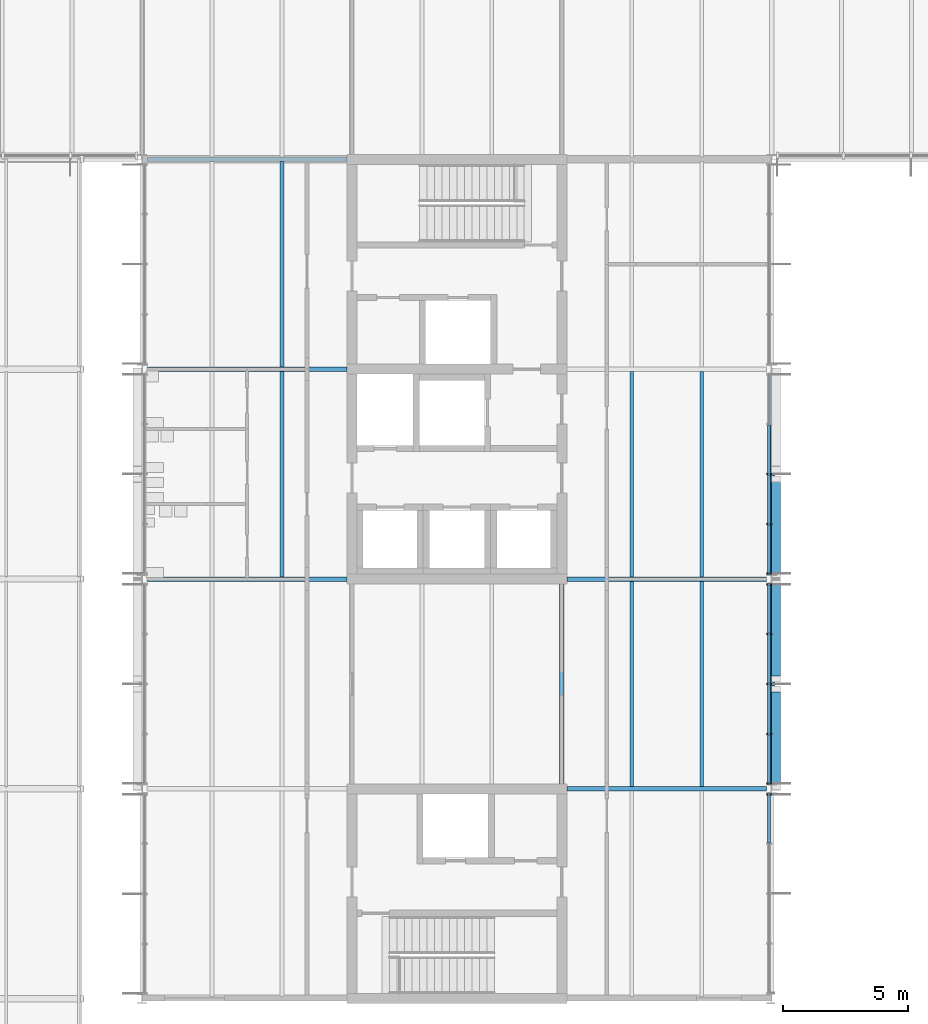
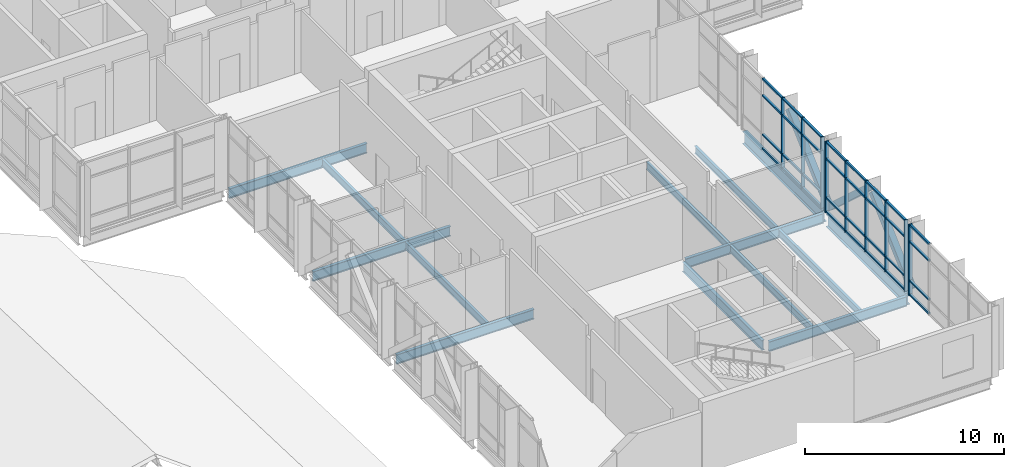
# One storey, part 19 of 76: 44 members, 14 beams, 3 elements without a shape of their own.
"""IFC4 building model written with IfcOpenShell, lengths in metres."""

from ifc_helpers import new_model, si_unit, direction, frame, origin, origin_2d, place, context, subcontext, project, spatial, rectangle, hollow_rectangle, i_section, extrude, material, material_profile, profile_set, type_object, element, aggregate, save


model = new_model("IFC4")

# Units and contexts
model_context = context("Model", 3, precision=1e-05, world=origin(), true_north=direction((0.0, 1.0)))
body_context = subcontext(model_context, "Body", "Model", "MODEL_VIEW")
ifc_project = project(units=[si_unit("LENGTHUNIT", "METRE"), si_unit("AREAUNIT", "SQUARE_METRE"), si_unit("VOLUMEUNIT", "CUBIC_METRE"), si_unit("PLANEANGLEUNIT", "RADIAN"), si_unit("MASSUNIT", "GRAM", prefix="KILO")], contexts=[model_context])

# Site, building, storey
site_placement = place(None, origin())
site = spatial("IfcSite", under=ifc_project, at=site_placement, CompositionType="ELEMENT")
building_placement = place(site_placement, origin())
building = spatial("IfcBuilding", under=site, at=building_placement, Name="Hlaing Beacon Police Headquarters", CompositionType="ELEMENT")
storey_placement = place(building_placement, frame((0.0, 0.0, 18.89990234375)))
storey = spatial("IfcBuildingStorey", under=building, at=storey_placement, Name="L04", CompositionType="ELEMENT", Elevation=18.89990234375)

# Members
ifc_material_1 = material(Name="Steel ASTM A500 Grade C", Category="steel")
ifc_material_profile_1 = material_profile(ifc_material_1, hollow_rectangle(XDim=0.355712890625, YDim=0.355712890625, WallThickness=0.015869140625, at=origin_2d()), Name="HSS14x14x5/8")
ifc_profile_set_1 = profile_set([ifc_material_profile_1], Name="Steel ASTM A500 Grade C")
member_type_1 = type_object("IfcMemberType", Name="Chevron brace HSS14x14x5/8", PredefinedType="BRACE", material=ifc_profile_set_1)
for number, where, z_axis, x_axis, name in (
    (1, (126.181884765625, 42.072998046875, 0.131103515625), (0.0, 0.738446730342, 0.674311816927), (-1.0, 0.0, 0.0), "STR-BR-L04-R6a"),
    (2, (126.181884765625, 50.326904296875, 0.131103515625), (0.0, -0.738446730342, 0.674311816927), (1.0, 0.0, 0.0), "STR-BR-L04-R6b"),
    (3, (126.181884765625, 50.472900390625, 0.131103515625), (0.0, 0.738446730342, 0.674311816927), (-1.0, 0.0, 0.0), "STR-BR-L04-R7a"),
):
    element("IfcMember", number, at=place(storey_placement, frame(where, z_axis=z_axis, x_axis=x_axis)), inside=storey, type_object=member_type_1, Name=name, PredefinedType="BRACE", context=body_context, shape_type="SweptSolid", body=[
        extrude(hollow_rectangle(XDim=0.355712890625, YDim=0.355712890625, WallThickness=0.015869140625, at=origin_2d()), origin(), (0.0, 0.0, 1.0), 5.31787109375),
    ])

# Beams
ifc_material_2 = material(Name="Steel ASTM A992 Grade 50", Category="steel")
ifc_material_profile_2 = material_profile(ifc_material_2, i_section(OverallWidth=0.177978515625, OverallDepth=0.599365234375, WebThickness=0.010009765625, FlangeThickness=0.012939453125, FilletRadius=0.012939453125, at=origin_2d()), Name="W24x55")
ifc_profile_set_2 = profile_set([ifc_material_profile_2], Name="Steel ASTM A992 Grade 50")
beam_type_1 = type_object("IfcBeamType", Name="Girder W24x55", PredefinedType="BEAM", material=ifc_profile_set_2)
for number, where, z_axis, x_axis, name in (
    (4, (117.800048828125, 42.0, -0.4296875), (1.0, 0.0, 0.0), (0.0, 1.0, 0.0), "STR-BM-L04-GX-Q6-R6"),
    (5, (100.998046875, 50.39990234375, -0.4296875), (1.0, 0.0, 0.0), (0.0, 1.0, 0.0), "STR-BM-L04-GX-N7-P7"),
    (6, (117.800048828125, 50.39990234375, -0.4296875), (1.0, 0.0, 0.0), (0.0, 1.0, 0.0), "STR-BM-L04-GX-Q7-R7"),
    (7, (100.998046875, 58.800048828125, -0.4296875), (1.0, 0.0, 0.0), (0.0, 1.0, 0.0), "STR-BM-L04-GX-N8-P8"),
):
    element("IfcBeam", number, at=place(storey_placement, frame(where, z_axis=z_axis, x_axis=x_axis)), inside=storey, type_object=beam_type_1, Name=name, PredefinedType="BEAM", context=body_context, shape_type="SweptSolid", body=[
        extrude(i_section(OverallWidth=0.177978515625, OverallDepth=0.599365234375, WebThickness=0.010009765625, FlangeThickness=0.012939453125, FilletRadius=0.012939453125, at=origin_2d()), origin(), (0.0, 0.0, 1.0), 8.001953125),
    ])
beam_1_placement = place(storey_placement, frame((100.987060546875, 67.199951171875, -0.4296875), z_axis=(1.0, 0.0, 0.0), x_axis=(0.0, 1.0, 0.0)))
element("IfcBeam", 8, at=beam_1_placement, inside=storey, type_object=beam_type_1, Name="STR-BM-L04-GX-N9-P9", PredefinedType="BEAM", context=body_context, shape_type="SweptSolid", body=[
    extrude(i_section(OverallWidth=0.177978515625, OverallDepth=0.599365234375, WebThickness=0.010009765625, FlangeThickness=0.012939453125, FilletRadius=0.012939453125, at=origin_2d()), origin(), (0.0, 0.0, 1.0), 8.012939453125),
])
beam_2_placement = place(storey_placement, frame((117.60009765625, 42.199951171875, -0.4296875), z_axis=(0.0, 1.0, 0.0), x_axis=(-1.0, 0.0, 0.0)))
element("IfcBeam", 9, at=beam_2_placement, inside=storey, type_object=beam_type_1, Name="STR-BM-L04-GY-Q6-Q7", PredefinedType="BEAM", context=body_context, shape_type="SweptSolid", body=[
    extrude(i_section(OverallWidth=0.177978515625, OverallDepth=0.599365234375, WebThickness=0.010009765625, FlangeThickness=0.012939453125, FilletRadius=0.012939453125, at=origin_2d()), origin(), (0.0, 0.0, 1.0), 8.0),
])
ifc_material_3 = material(Name="Steel ASTM A992 Grade 50", Category="steel")
ifc_material_profile_3 = material_profile(ifc_material_3, i_section(OverallWidth=0.2666015625, OverallDepth=0.761962890625, WebThickness=0.014404296875, FlangeThickness=0.021484375, FilletRadius=0.0166015625, at=origin_2d()), Name="W30x116")
ifc_profile_set_3 = profile_set([ifc_material_profile_3], Name="Steel ASTM A992 Grade 50")
beam_type_2 = type_object("IfcBeamType", Name="Girder W30x116", PredefinedType="BEAM", material=ifc_profile_set_3)
beam_3_placement = place(storey_placement, frame((126.0, 42.19091796875, -0.510986328125), z_axis=(0.0, 1.0, 0.0), x_axis=(-1.0, 0.0, 0.0)))
element("IfcBeam", 10, at=beam_3_placement, inside=storey, type_object=beam_type_2, Name="STR-BM-L04-GY-R6-R7", PredefinedType="BEAM", context=body_context, shape_type="SweptSolid", body=[
    extrude(i_section(OverallWidth=0.2666015625, OverallDepth=0.761962890625, WebThickness=0.014404296875, FlangeThickness=0.021484375, FilletRadius=0.0166015625, at=origin_2d()), origin(), (0.0, 0.0, 1.0), 8.01806640625),
])
beam_4_placement = place(storey_placement, frame((126.0, 50.590087890625, -0.510986328125), z_axis=(0.0, 1.0, 0.0), x_axis=(-1.0, 0.0, 0.0)))
element("IfcBeam", 11, at=beam_4_placement, inside=storey, type_object=beam_type_2, Name="STR-BM-L04-GY-R7-R8", PredefinedType="BEAM", context=body_context, shape_type="SweptSolid", body=[
    extrude(i_section(OverallWidth=0.2666015625, OverallDepth=0.761962890625, WebThickness=0.014404296875, FlangeThickness=0.021484375, FilletRadius=0.0166015625, at=origin_2d()), origin(), (0.0, 0.0, 1.0), 8.018798828125),
])

# Curtain wall, member
ifc_material_4 = material(Name="Aluminium frame with solar control glazing", Category="aluminium")
curtain_wall_type_1 = type_object("IfcCurtainWallType", Name="Unitised curtain wall 8.01 x 4.37", PredefinedType="NOTDEFINED", material=ifc_material_4)
curtain_wall_1_placement = place(storey_placement, origin())
curtain_wall_1 = element("IfcCurtainWall", 12, at=curtain_wall_1_placement, inside=storey, type_object=curtain_wall_type_1, Name="ENV-CW-L04-E004", PredefinedType="NOTDEFINED")
ifc_material_5 = material(Name="Aluminium", Category="aluminium")
ifc_material_profile_4 = material_profile(ifc_material_5, rectangle(XDim=0.199951171875, YDim=0.06005859375, at=origin_2d()), Name="Mullion 60x200")
ifc_profile_set_4 = profile_set([ifc_material_profile_4], Name="Aluminium")
member_type_2 = type_object("IfcMemberType", Name="Mullion 60x200", PredefinedType="MULLION", material=ifc_profile_set_4)
member_1_placement = place(storey_placement, frame((125.89990234375, 41.781982421875, 0.0), z_axis=(0.0, 0.0, 1.0), x_axis=(-1.0, 0.0, 0.0)))
member_1 = element("IfcMember", 13, at=member_1_placement, type_object=member_type_2, Name="CW-L04-E004 mullion 5", PredefinedType="MULLION", context=body_context, shape_type="SweptSolid", body=[
    extrude(rectangle(XDim=0.199951171875, YDim=0.06005859375, at=origin_2d()), origin(), (0.0, 0.0, 1.0), 4.3701171875),
])

# Curtain wall, members
ifc_material_6 = material(Name="Aluminium frame with solar control glazing", Category="aluminium")
curtain_wall_type_2 = type_object("IfcCurtainWallType", Name="Unitised curtain wall 8.02 x 4.37", PredefinedType="NOTDEFINED", material=ifc_material_6)
curtain_wall_2_placement = place(storey_placement, origin())
curtain_wall_2 = element("IfcCurtainWall", 14, at=curtain_wall_2_placement, inside=storey, type_object=curtain_wall_type_2, Name="ENV-CW-L04-E005", PredefinedType="NOTDEFINED")
member_2_placement = place(storey_placement, frame((125.89990234375, 42.218017578125, 0.0), z_axis=(0.0, 0.0, 1.0), x_axis=(-1.0, 0.0, 0.0)))
member_2 = element("IfcMember", 15, at=member_2_placement, type_object=member_type_2, Name="CW-L04-E005 mullion 1", PredefinedType="MULLION", context=body_context, shape_type="SweptSolid", body=[
    extrude(rectangle(XDim=0.199951171875, YDim=0.06005859375, at=origin_2d()), origin(), (0.0, 0.0, 1.0), 4.3701171875),
])
member_3_placement = place(storey_placement, frame((125.89990234375, 44.194091796875, 0.0), z_axis=(0.0, 0.0, 1.0), x_axis=(-1.0, 0.0, 0.0)))
member_3 = element("IfcMember", 16, at=member_3_placement, type_object=member_type_2, Name="CW-L04-E005 mullion 2", PredefinedType="MULLION", context=body_context, shape_type="SweptSolid", body=[
    extrude(rectangle(XDim=0.199951171875, YDim=0.06005859375, at=origin_2d()), origin(), (0.0, 0.0, 1.0), 4.3701171875),
])
member_4_placement = place(storey_placement, frame((125.89990234375, 46.199951171875, 0.0), z_axis=(0.0, 0.0, 1.0), x_axis=(-1.0, 0.0, 0.0)))
member_4 = element("IfcMember", 17, at=member_4_placement, type_object=member_type_2, Name="CW-L04-E005 mullion 3", PredefinedType="MULLION", context=body_context, shape_type="SweptSolid", body=[
    extrude(rectangle(XDim=0.199951171875, YDim=0.06005859375, at=origin_2d()), origin(), (0.0, 0.0, 1.0), 4.3701171875),
])
member_5_placement = place(storey_placement, frame((125.89990234375, 48.2060546875, 0.0), z_axis=(0.0, 0.0, 1.0), x_axis=(-1.0, 0.0, 0.0)))
member_5 = element("IfcMember", 18, at=member_5_placement, type_object=member_type_2, Name="CW-L04-E005 mullion 4", PredefinedType="MULLION", context=body_context, shape_type="SweptSolid", body=[
    extrude(rectangle(XDim=0.199951171875, YDim=0.06005859375, at=origin_2d()), origin(), (0.0, 0.0, 1.0), 4.3701171875),
])
member_6_placement = place(storey_placement, frame((125.89990234375, 50.181884765625, 0.0), z_axis=(0.0, 0.0, 1.0), x_axis=(-1.0, 0.0, 0.0)))
member_6 = element("IfcMember", 19, at=member_6_placement, type_object=member_type_2, Name="CW-L04-E005 mullion 5", PredefinedType="MULLION", context=body_context, shape_type="SweptSolid", body=[
    extrude(rectangle(XDim=0.199951171875, YDim=0.06005859375, at=origin_2d()), origin(), (0.0, 0.0, 1.0), 4.3701171875),
])

curtain_wall_3_placement = place(storey_placement, origin())
curtain_wall_3 = element("IfcCurtainWall", 20, at=curtain_wall_3_placement, inside=storey, type_object=curtain_wall_type_2, Name="ENV-CW-L04-E006", PredefinedType="NOTDEFINED")
member_7_placement = place(storey_placement, frame((125.89990234375, 50.617919921875, 0.0), z_axis=(0.0, 0.0, 1.0), x_axis=(-1.0, 0.0, 0.0)))
member_7 = element("IfcMember", 21, at=member_7_placement, type_object=member_type_2, Name="CW-L04-E006 mullion 1", PredefinedType="MULLION", context=body_context, shape_type="SweptSolid", body=[
    extrude(rectangle(XDim=0.199951171875, YDim=0.06005859375, at=origin_2d()), origin(), (0.0, 0.0, 1.0), 4.3701171875),
])
member_8_placement = place(storey_placement, frame((125.89990234375, 52.593994140625, 0.0), z_axis=(0.0, 0.0, 1.0), x_axis=(-1.0, 0.0, 0.0)))
member_8 = element("IfcMember", 22, at=member_8_placement, type_object=member_type_2, Name="CW-L04-E006 mullion 2", PredefinedType="MULLION", context=body_context, shape_type="SweptSolid", body=[
    extrude(rectangle(XDim=0.199951171875, YDim=0.06005859375, at=origin_2d()), origin(), (0.0, 0.0, 1.0), 4.3701171875),
])
member_9_placement = place(storey_placement, frame((125.89990234375, 54.60009765625, 0.0), z_axis=(0.0, 0.0, 1.0), x_axis=(-1.0, 0.0, 0.0)))
member_9 = element("IfcMember", 23, at=member_9_placement, type_object=member_type_2, Name="CW-L04-E006 mullion 3", PredefinedType="MULLION", context=body_context, shape_type="SweptSolid", body=[
    extrude(rectangle(XDim=0.199951171875, YDim=0.06005859375, at=origin_2d()), origin(), (0.0, 0.0, 1.0), 4.3701171875),
])

# Beams
ifc_material_7 = material(Name="Steel ASTM A992 Grade 50", Category="steel")
ifc_material_profile_5 = material_profile(ifc_material_7, i_section(OverallWidth=0.15234375, OverallDepth=0.449462890625, WebThickness=0.007568359375, FlangeThickness=0.0107421875, FilletRadius=0.01025390625, at=origin_2d()), Name="W18x35")
ifc_profile_set_5 = profile_set([ifc_material_profile_5], Name="Steel ASTM A992 Grade 50")
beam_type_3 = type_object("IfcBeamType", Name="Secondary beam W18x35", PredefinedType="BEAM", material=ifc_profile_set_5)
beam_5_placement = place(storey_placement, frame((106.39990234375, 50.489013671875, -0.354736328125), z_axis=(0.0, 1.0, 0.0), x_axis=(-1.0, 0.0, 0.0)))
element("IfcBeam", 24, at=beam_5_placement, inside=storey, type_object=beam_type_3, Name="STR-BM-L04-SB-N7-y2", PredefinedType="BEAM", context=body_context, shape_type="SweptSolid", body=[
    extrude(i_section(OverallWidth=0.15234375, OverallDepth=0.449462890625, WebThickness=0.007568359375, FlangeThickness=0.0107421875, FilletRadius=0.01025390625, at=origin_2d()), origin(), (0.0, 0.0, 1.0), 8.221923828125),
])
beam_6_placement = place(storey_placement, frame((106.39990234375, 58.888916015625, -0.354736328125), z_axis=(0.0, 1.0, 0.0), x_axis=(-1.0, 0.0, 0.0)))
element("IfcBeam", 25, at=beam_6_placement, inside=storey, type_object=beam_type_3, Name="STR-BM-L04-SB-N8-y2", PredefinedType="BEAM", context=body_context, shape_type="SweptSolid", body=[
    extrude(i_section(OverallWidth=0.15234375, OverallDepth=0.449462890625, WebThickness=0.007568359375, FlangeThickness=0.0107421875, FilletRadius=0.01025390625, at=origin_2d()), origin(), (0.0, 0.0, 1.0), 8.22216796875),
])
for number, where, z_axis, x_axis, name in (
    (26, (120.39990234375, 42.089111328125, -0.354736328125), (0.0, 1.0, 0.0), (-1.0, 0.0, 0.0), "STR-BM-L04-SB-Q6-y1"),
    (27, (123.199951171875, 42.089111328125, -0.354736328125), (0.0, 1.0, 0.0), (-1.0, 0.0, 0.0), "STR-BM-L04-SB-Q6-y2"),
    (28, (120.39990234375, 50.489013671875, -0.354736328125), (0.0, 1.0, 0.0), (-1.0, 0.0, 0.0), "STR-BM-L04-SB-Q7-y1"),
    (29, (123.199951171875, 50.489013671875, -0.354736328125), (0.0, 1.0, 0.0), (-1.0, 0.0, 0.0), "STR-BM-L04-SB-Q7-y2"),
):
    element("IfcBeam", number, at=place(storey_placement, frame(where, z_axis=z_axis, x_axis=x_axis)), inside=storey, type_object=beam_type_3, Name=name, PredefinedType="BEAM", context=body_context, shape_type="SweptSolid", body=[
        extrude(i_section(OverallWidth=0.15234375, OverallDepth=0.449462890625, WebThickness=0.007568359375, FlangeThickness=0.0107421875, FilletRadius=0.01025390625, at=origin_2d()), origin(), (0.0, 0.0, 1.0), 8.221923828125),
    ])

# Member
ifc_material_8 = material(Name="Aluminium", Category="aluminium")
ifc_material_profile_6 = material_profile(ifc_material_8, rectangle(XDim=0.1201171875, YDim=0.10009765625, at=origin_2d()), Name="Transom 120x100")
ifc_profile_set_6 = profile_set([ifc_material_profile_6], Name="Aluminium")
member_type_3 = type_object("IfcMemberType", Name="Transom 120x100", PredefinedType="USERDEFINED", material=ifc_profile_set_6)
member_10_placement = place(storey_placement, frame((125.89990234375, 39.83984375, 0.050048828125), z_axis=(0.0, 1.0, 0.0), x_axis=(-1.0, 0.0, 0.0)))
member_10 = element("IfcMember", 30, at=member_10_placement, type_object=member_type_3, Name="CW-L04-E004 transom 4.1", ObjectType="TRANSOM", PredefinedType="USERDEFINED", context=body_context, shape_type="SweptSolid", body=[
    extrude(rectangle(XDim=0.1201171875, YDim=0.10009765625, at=origin_2d()), origin(), (0.0, 0.0, 1.0), 1.912109375),
])

member_11_placement = place(storey_placement, frame((125.89990234375, 39.83984375, 0.900146484375), z_axis=(0.0, 1.0, 0.0), x_axis=(-1.0, 0.0, 0.0)))
member_11 = element("IfcMember", 31, at=member_11_placement, type_object=member_type_3, Name="CW-L04-E004 transom 4.2", ObjectType="TRANSOM", PredefinedType="USERDEFINED", context=body_context, shape_type="SweptSolid", body=[
    extrude(rectangle(XDim=0.1201171875, YDim=0.10009765625, at=origin_2d()), origin(), (0.0, 0.0, 1.0), 1.912109375),
])

member_12_placement = place(storey_placement, frame((125.89990234375, 39.83984375, 3.300048828125), z_axis=(0.0, 1.0, 0.0), x_axis=(-1.0, 0.0, 0.0)))
member_12 = element("IfcMember", 32, at=member_12_placement, type_object=member_type_3, Name="CW-L04-E004 transom 4.3", ObjectType="TRANSOM", PredefinedType="USERDEFINED", context=body_context, shape_type="SweptSolid", body=[
    extrude(rectangle(XDim=0.1201171875, YDim=0.10009765625, at=origin_2d()), origin(), (0.0, 0.0, 1.0), 1.912109375),
])

member_13_placement = place(storey_placement, frame((125.89990234375, 39.83984375, 4.320068359375), z_axis=(0.0, 1.0, 0.0), x_axis=(-1.0, 0.0, 0.0)))
member_13 = element("IfcMember", 33, at=member_13_placement, type_object=member_type_3, Name="CW-L04-E004 transom 4.4", ObjectType="TRANSOM", PredefinedType="USERDEFINED", context=body_context, shape_type="SweptSolid", body=[
    extrude(rectangle(XDim=0.1201171875, YDim=0.10009765625, at=origin_2d()), origin(), (0.0, 0.0, 1.0), 1.912109375),
])

aggregate(curtain_wall_1, [member_1, member_10, member_11, member_12, member_13])

member_14_placement = place(storey_placement, frame((125.89990234375, 42.248046875, 0.050048828125), z_axis=(0.0, 1.0, 0.0), x_axis=(-1.0, 0.0, 0.0)))
member_14 = element("IfcMember", 34, at=member_14_placement, type_object=member_type_3, Name="CW-L04-E005 transom 1.1", ObjectType="TRANSOM", PredefinedType="USERDEFINED", context=body_context, shape_type="SweptSolid", body=[
    extrude(rectangle(XDim=0.1201171875, YDim=0.10009765625, at=origin_2d()), origin(), (0.0, 0.0, 1.0), 1.916015625),
])

member_15_placement = place(storey_placement, frame((125.89990234375, 42.248046875, 0.900146484375), z_axis=(0.0, 1.0, 0.0), x_axis=(-1.0, 0.0, 0.0)))
member_15 = element("IfcMember", 35, at=member_15_placement, type_object=member_type_3, Name="CW-L04-E005 transom 1.2", ObjectType="TRANSOM", PredefinedType="USERDEFINED", context=body_context, shape_type="SweptSolid", body=[
    extrude(rectangle(XDim=0.1201171875, YDim=0.10009765625, at=origin_2d()), origin(), (0.0, 0.0, 1.0), 1.916015625),
])

member_16_placement = place(storey_placement, frame((125.89990234375, 42.248046875, 3.300048828125), z_axis=(0.0, 1.0, 0.0), x_axis=(-1.0, 0.0, 0.0)))
member_16 = element("IfcMember", 36, at=member_16_placement, type_object=member_type_3, Name="CW-L04-E005 transom 1.3", ObjectType="TRANSOM", PredefinedType="USERDEFINED", context=body_context, shape_type="SweptSolid", body=[
    extrude(rectangle(XDim=0.1201171875, YDim=0.10009765625, at=origin_2d()), origin(), (0.0, 0.0, 1.0), 1.916015625),
])

member_17_placement = place(storey_placement, frame((125.89990234375, 42.248046875, 4.320068359375), z_axis=(0.0, 1.0, 0.0), x_axis=(-1.0, 0.0, 0.0)))
member_17 = element("IfcMember", 37, at=member_17_placement, type_object=member_type_3, Name="CW-L04-E005 transom 1.4", ObjectType="TRANSOM", PredefinedType="USERDEFINED", context=body_context, shape_type="SweptSolid", body=[
    extrude(rectangle(XDim=0.1201171875, YDim=0.10009765625, at=origin_2d()), origin(), (0.0, 0.0, 1.0), 1.916015625),
])

member_18_placement = place(storey_placement, frame((125.89990234375, 44.22412109375, 0.050048828125), z_axis=(0.0, 1.0, 0.0), x_axis=(-1.0, 0.0, 0.0)))
member_18 = element("IfcMember", 38, at=member_18_placement, type_object=member_type_3, Name="CW-L04-E005 transom 2.1", ObjectType="TRANSOM", PredefinedType="USERDEFINED", context=body_context, shape_type="SweptSolid", body=[
    extrude(rectangle(XDim=0.1201171875, YDim=0.10009765625, at=origin_2d()), origin(), (0.0, 0.0, 1.0), 1.94580078125),
])

member_19_placement = place(storey_placement, frame((125.89990234375, 44.22412109375, 0.900146484375), z_axis=(0.0, 1.0, 0.0), x_axis=(-1.0, 0.0, 0.0)))
member_19 = element("IfcMember", 39, at=member_19_placement, type_object=member_type_3, Name="CW-L04-E005 transom 2.2", ObjectType="TRANSOM", PredefinedType="USERDEFINED", context=body_context, shape_type="SweptSolid", body=[
    extrude(rectangle(XDim=0.1201171875, YDim=0.10009765625, at=origin_2d()), origin(), (0.0, 0.0, 1.0), 1.94580078125),
])

member_20_placement = place(storey_placement, frame((125.89990234375, 44.22412109375, 3.300048828125), z_axis=(0.0, 1.0, 0.0), x_axis=(-1.0, 0.0, 0.0)))
member_20 = element("IfcMember", 40, at=member_20_placement, type_object=member_type_3, Name="CW-L04-E005 transom 2.3", ObjectType="TRANSOM", PredefinedType="USERDEFINED", context=body_context, shape_type="SweptSolid", body=[
    extrude(rectangle(XDim=0.1201171875, YDim=0.10009765625, at=origin_2d()), origin(), (0.0, 0.0, 1.0), 1.94580078125),
])

member_21_placement = place(storey_placement, frame((125.89990234375, 44.22412109375, 4.320068359375), z_axis=(0.0, 1.0, 0.0), x_axis=(-1.0, 0.0, 0.0)))
member_21 = element("IfcMember", 41, at=member_21_placement, type_object=member_type_3, Name="CW-L04-E005 transom 2.4", ObjectType="TRANSOM", PredefinedType="USERDEFINED", context=body_context, shape_type="SweptSolid", body=[
    extrude(rectangle(XDim=0.1201171875, YDim=0.10009765625, at=origin_2d()), origin(), (0.0, 0.0, 1.0), 1.94580078125),
])

member_22_placement = place(storey_placement, frame((125.89990234375, 46.22998046875, 0.050048828125), z_axis=(0.0, 1.0, 0.0), x_axis=(-1.0, 0.0, 0.0)))
member_22 = element("IfcMember", 42, at=member_22_placement, type_object=member_type_3, Name="CW-L04-E005 transom 3.1", ObjectType="TRANSOM", PredefinedType="USERDEFINED", context=body_context, shape_type="SweptSolid", body=[
    extrude(rectangle(XDim=0.1201171875, YDim=0.10009765625, at=origin_2d()), origin(), (0.0, 0.0, 1.0), 1.946044921875),
])

member_23_placement = place(storey_placement, frame((125.89990234375, 46.22998046875, 0.900146484375), z_axis=(0.0, 1.0, 0.0), x_axis=(-1.0, 0.0, 0.0)))
member_23 = element("IfcMember", 43, at=member_23_placement, type_object=member_type_3, Name="CW-L04-E005 transom 3.2", ObjectType="TRANSOM", PredefinedType="USERDEFINED", context=body_context, shape_type="SweptSolid", body=[
    extrude(rectangle(XDim=0.1201171875, YDim=0.10009765625, at=origin_2d()), origin(), (0.0, 0.0, 1.0), 1.946044921875),
])

member_24_placement = place(storey_placement, frame((125.89990234375, 46.22998046875, 3.300048828125), z_axis=(0.0, 1.0, 0.0), x_axis=(-1.0, 0.0, 0.0)))
member_24 = element("IfcMember", 44, at=member_24_placement, type_object=member_type_3, Name="CW-L04-E005 transom 3.3", ObjectType="TRANSOM", PredefinedType="USERDEFINED", context=body_context, shape_type="SweptSolid", body=[
    extrude(rectangle(XDim=0.1201171875, YDim=0.10009765625, at=origin_2d()), origin(), (0.0, 0.0, 1.0), 1.946044921875),
])

member_25_placement = place(storey_placement, frame((125.89990234375, 46.22998046875, 4.320068359375), z_axis=(0.0, 1.0, 0.0), x_axis=(-1.0, 0.0, 0.0)))
member_25 = element("IfcMember", 45, at=member_25_placement, type_object=member_type_3, Name="CW-L04-E005 transom 3.4", ObjectType="TRANSOM", PredefinedType="USERDEFINED", context=body_context, shape_type="SweptSolid", body=[
    extrude(rectangle(XDim=0.1201171875, YDim=0.10009765625, at=origin_2d()), origin(), (0.0, 0.0, 1.0), 1.946044921875),
])

member_26_placement = place(storey_placement, frame((125.89990234375, 48.236083984375, 0.050048828125), z_axis=(0.0, 1.0, 0.0), x_axis=(-1.0, 0.0, 0.0)))
member_26 = element("IfcMember", 46, at=member_26_placement, type_object=member_type_3, Name="CW-L04-E005 transom 4.1", ObjectType="TRANSOM", PredefinedType="USERDEFINED", context=body_context, shape_type="SweptSolid", body=[
    extrude(rectangle(XDim=0.1201171875, YDim=0.10009765625, at=origin_2d()), origin(), (0.0, 0.0, 1.0), 1.916015625),
])

member_27_placement = place(storey_placement, frame((125.89990234375, 48.236083984375, 0.900146484375), z_axis=(0.0, 1.0, 0.0), x_axis=(-1.0, 0.0, 0.0)))
member_27 = element("IfcMember", 47, at=member_27_placement, type_object=member_type_3, Name="CW-L04-E005 transom 4.2", ObjectType="TRANSOM", PredefinedType="USERDEFINED", context=body_context, shape_type="SweptSolid", body=[
    extrude(rectangle(XDim=0.1201171875, YDim=0.10009765625, at=origin_2d()), origin(), (0.0, 0.0, 1.0), 1.916015625),
])

member_28_placement = place(storey_placement, frame((125.89990234375, 48.236083984375, 3.300048828125), z_axis=(0.0, 1.0, 0.0), x_axis=(-1.0, 0.0, 0.0)))
member_28 = element("IfcMember", 48, at=member_28_placement, type_object=member_type_3, Name="CW-L04-E005 transom 4.3", ObjectType="TRANSOM", PredefinedType="USERDEFINED", context=body_context, shape_type="SweptSolid", body=[
    extrude(rectangle(XDim=0.1201171875, YDim=0.10009765625, at=origin_2d()), origin(), (0.0, 0.0, 1.0), 1.916015625),
])

member_29_placement = place(storey_placement, frame((125.89990234375, 48.236083984375, 4.320068359375), z_axis=(0.0, 1.0, 0.0), x_axis=(-1.0, 0.0, 0.0)))
member_29 = element("IfcMember", 49, at=member_29_placement, type_object=member_type_3, Name="CW-L04-E005 transom 4.4", ObjectType="TRANSOM", PredefinedType="USERDEFINED", context=body_context, shape_type="SweptSolid", body=[
    extrude(rectangle(XDim=0.1201171875, YDim=0.10009765625, at=origin_2d()), origin(), (0.0, 0.0, 1.0), 1.916015625),
])

aggregate(curtain_wall_2, [member_2, member_3, member_4, member_5, member_6, member_14, member_15, member_16, member_17, member_18, member_19, member_20, member_21, member_22, member_23, member_24, member_25, member_26, member_27, member_28, member_29])

member_30_placement = place(storey_placement, frame((125.89990234375, 50.64794921875, 0.050048828125), z_axis=(0.0, 1.0, 0.0), x_axis=(-1.0, 0.0, 0.0)))
member_30 = element("IfcMember", 50, at=member_30_placement, type_object=member_type_3, Name="CW-L04-E006 transom 1.1", ObjectType="TRANSOM", PredefinedType="USERDEFINED", context=body_context, shape_type="SweptSolid", body=[
    extrude(rectangle(XDim=0.1201171875, YDim=0.10009765625, at=origin_2d()), origin(), (0.0, 0.0, 1.0), 1.916015625),
])

member_31_placement = place(storey_placement, frame((125.89990234375, 50.64794921875, 0.900146484375), z_axis=(0.0, 1.0, 0.0), x_axis=(-1.0, 0.0, 0.0)))
member_31 = element("IfcMember", 51, at=member_31_placement, type_object=member_type_3, Name="CW-L04-E006 transom 1.2", ObjectType="TRANSOM", PredefinedType="USERDEFINED", context=body_context, shape_type="SweptSolid", body=[
    extrude(rectangle(XDim=0.1201171875, YDim=0.10009765625, at=origin_2d()), origin(), (0.0, 0.0, 1.0), 1.916015625),
])

member_32_placement = place(storey_placement, frame((125.89990234375, 50.64794921875, 3.300048828125), z_axis=(0.0, 1.0, 0.0), x_axis=(-1.0, 0.0, 0.0)))
member_32 = element("IfcMember", 52, at=member_32_placement, type_object=member_type_3, Name="CW-L04-E006 transom 1.3", ObjectType="TRANSOM", PredefinedType="USERDEFINED", context=body_context, shape_type="SweptSolid", body=[
    extrude(rectangle(XDim=0.1201171875, YDim=0.10009765625, at=origin_2d()), origin(), (0.0, 0.0, 1.0), 1.916015625),
])

member_33_placement = place(storey_placement, frame((125.89990234375, 50.64794921875, 4.320068359375), z_axis=(0.0, 1.0, 0.0), x_axis=(-1.0, 0.0, 0.0)))
member_33 = element("IfcMember", 53, at=member_33_placement, type_object=member_type_3, Name="CW-L04-E006 transom 1.4", ObjectType="TRANSOM", PredefinedType="USERDEFINED", context=body_context, shape_type="SweptSolid", body=[
    extrude(rectangle(XDim=0.1201171875, YDim=0.10009765625, at=origin_2d()), origin(), (0.0, 0.0, 1.0), 1.916015625),
])

member_34_placement = place(storey_placement, frame((125.89990234375, 52.6240234375, 0.050048828125), z_axis=(0.0, 1.0, 0.0), x_axis=(-1.0, 0.0, 0.0)))
member_34 = element("IfcMember", 54, at=member_34_placement, type_object=member_type_3, Name="CW-L04-E006 transom 2.1", ObjectType="TRANSOM", PredefinedType="USERDEFINED", context=body_context, shape_type="SweptSolid", body=[
    extrude(rectangle(XDim=0.1201171875, YDim=0.10009765625, at=origin_2d()), origin(), (0.0, 0.0, 1.0), 1.946044921875),
])

member_35_placement = place(storey_placement, frame((125.89990234375, 52.6240234375, 0.900146484375), z_axis=(0.0, 1.0, 0.0), x_axis=(-1.0, 0.0, 0.0)))
member_35 = element("IfcMember", 55, at=member_35_placement, type_object=member_type_3, Name="CW-L04-E006 transom 2.2", ObjectType="TRANSOM", PredefinedType="USERDEFINED", context=body_context, shape_type="SweptSolid", body=[
    extrude(rectangle(XDim=0.1201171875, YDim=0.10009765625, at=origin_2d()), origin(), (0.0, 0.0, 1.0), 1.946044921875),
])

member_36_placement = place(storey_placement, frame((125.89990234375, 52.6240234375, 3.300048828125), z_axis=(0.0, 1.0, 0.0), x_axis=(-1.0, 0.0, 0.0)))
member_36 = element("IfcMember", 56, at=member_36_placement, type_object=member_type_3, Name="CW-L04-E006 transom 2.3", ObjectType="TRANSOM", PredefinedType="USERDEFINED", context=body_context, shape_type="SweptSolid", body=[
    extrude(rectangle(XDim=0.1201171875, YDim=0.10009765625, at=origin_2d()), origin(), (0.0, 0.0, 1.0), 1.946044921875),
])

member_37_placement = place(storey_placement, frame((125.89990234375, 52.6240234375, 4.320068359375), z_axis=(0.0, 1.0, 0.0), x_axis=(-1.0, 0.0, 0.0)))
member_37 = element("IfcMember", 57, at=member_37_placement, type_object=member_type_3, Name="CW-L04-E006 transom 2.4", ObjectType="TRANSOM", PredefinedType="USERDEFINED", context=body_context, shape_type="SweptSolid", body=[
    extrude(rectangle(XDim=0.1201171875, YDim=0.10009765625, at=origin_2d()), origin(), (0.0, 0.0, 1.0), 1.946044921875),
])

member_38_placement = place(storey_placement, frame((125.89990234375, 54.6298828125, 0.050048828125), z_axis=(0.0, 1.0, 0.0), x_axis=(-1.0, 0.0, 0.0)))
member_38 = element("IfcMember", 58, at=member_38_placement, type_object=member_type_3, Name="CW-L04-E006 transom 3.1", ObjectType="TRANSOM", PredefinedType="USERDEFINED", context=body_context, shape_type="SweptSolid", body=[
    extrude(rectangle(XDim=0.1201171875, YDim=0.10009765625, at=origin_2d()), origin(), (0.0, 0.0, 1.0), 1.946044921875),
])

member_39_placement = place(storey_placement, frame((125.89990234375, 54.6298828125, 0.900146484375), z_axis=(0.0, 1.0, 0.0), x_axis=(-1.0, 0.0, 0.0)))
member_39 = element("IfcMember", 59, at=member_39_placement, type_object=member_type_3, Name="CW-L04-E006 transom 3.2", ObjectType="TRANSOM", PredefinedType="USERDEFINED", context=body_context, shape_type="SweptSolid", body=[
    extrude(rectangle(XDim=0.1201171875, YDim=0.10009765625, at=origin_2d()), origin(), (0.0, 0.0, 1.0), 1.946044921875),
])

member_40_placement = place(storey_placement, frame((125.89990234375, 54.6298828125, 3.300048828125), z_axis=(0.0, 1.0, 0.0), x_axis=(-1.0, 0.0, 0.0)))
member_40 = element("IfcMember", 60, at=member_40_placement, type_object=member_type_3, Name="CW-L04-E006 transom 3.3", ObjectType="TRANSOM", PredefinedType="USERDEFINED", context=body_context, shape_type="SweptSolid", body=[
    extrude(rectangle(XDim=0.1201171875, YDim=0.10009765625, at=origin_2d()), origin(), (0.0, 0.0, 1.0), 1.946044921875),
])

member_41_placement = place(storey_placement, frame((125.89990234375, 54.6298828125, 4.320068359375), z_axis=(0.0, 1.0, 0.0), x_axis=(-1.0, 0.0, 0.0)))
member_41 = element("IfcMember", 61, at=member_41_placement, type_object=member_type_3, Name="CW-L04-E006 transom 3.4", ObjectType="TRANSOM", PredefinedType="USERDEFINED", context=body_context, shape_type="SweptSolid", body=[
    extrude(rectangle(XDim=0.1201171875, YDim=0.10009765625, at=origin_2d()), origin(), (0.0, 0.0, 1.0), 1.946044921875),
])

aggregate(curtain_wall_3, [member_7, member_8, member_9, member_30, member_31, member_32, member_33, member_34, member_35, member_36, member_37, member_38, member_39, member_40, member_41])

save(model, "model.ifc")
